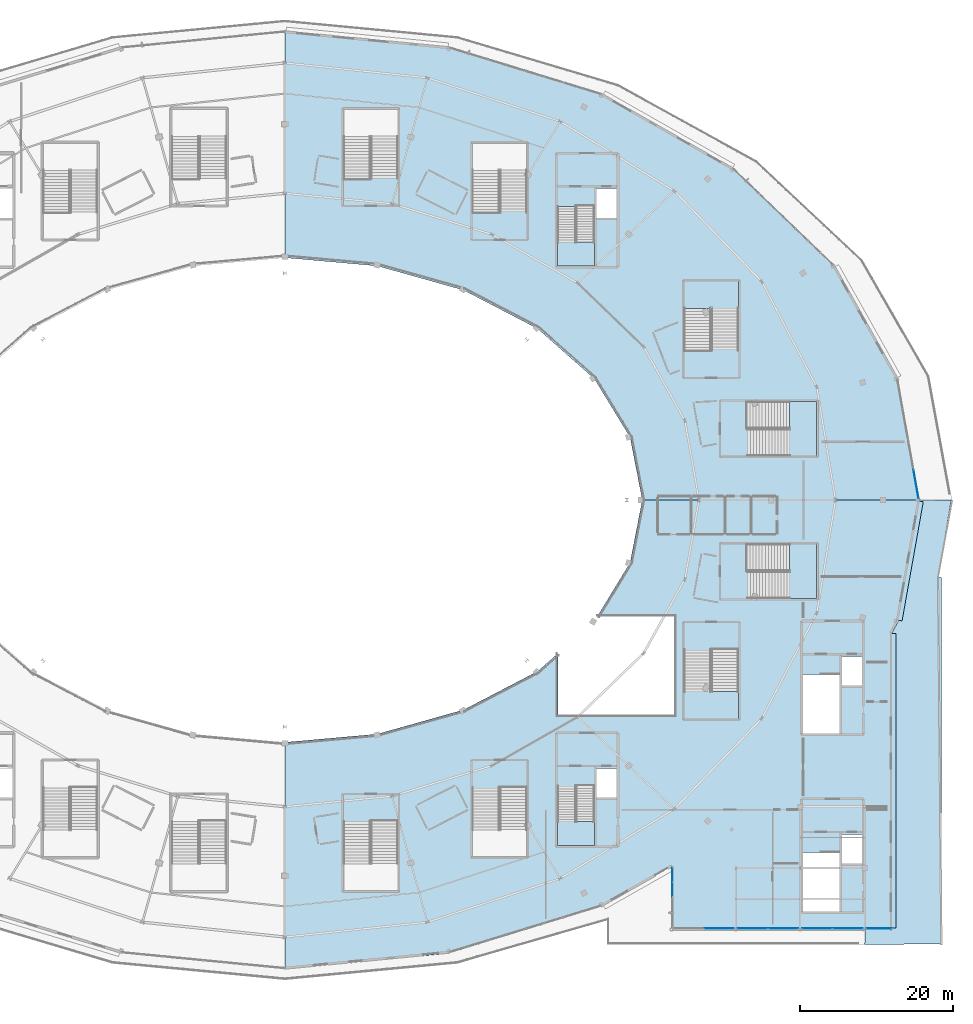
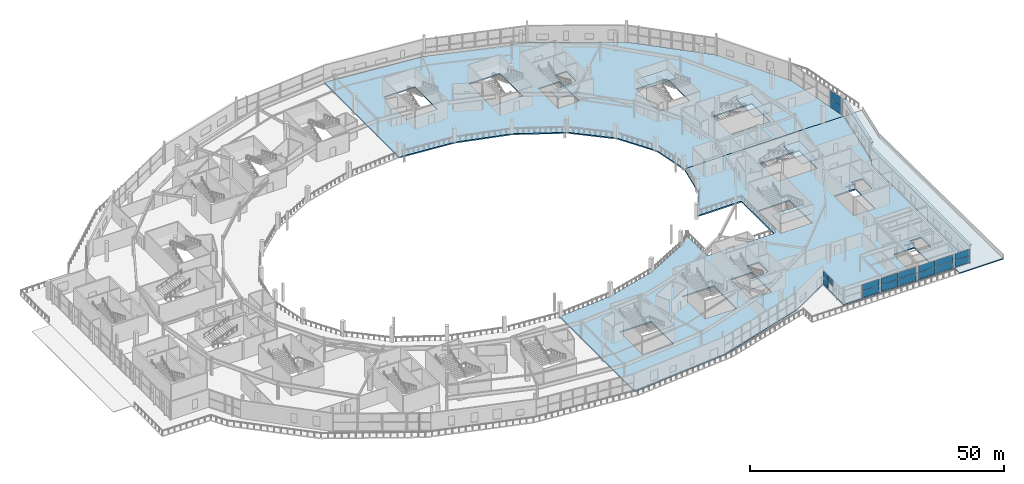
# One storey, part 77 of 123: 19 plates, 9 slabs, 14 elements without a shape of their own.
"""IFC4 building model written with IfcOpenShell, lengths in metres."""

from ifc_helpers import new_model, si_unit, direction, frame, origin, origin_2d, place, context, subcontext, project, spatial, polyline, rectangle, outline, extrude, material, layer, layer_set, type_object, element, aggregate, save


model = new_model("IFC4")

# Units and contexts
model_context = context("Model", 3, precision=1e-05, world=origin(), true_north=direction((0.0, 1.0)))
body_context = subcontext(model_context, "Body", "Model", "MODEL_VIEW")
ifc_project = project(units=[si_unit("LENGTHUNIT", "METRE"), si_unit("AREAUNIT", "SQUARE_METRE"), si_unit("VOLUMEUNIT", "CUBIC_METRE"), si_unit("PLANEANGLEUNIT", "RADIAN"), si_unit("MASSUNIT", "GRAM", prefix="KILO")], contexts=[model_context])

# Site, building, storey
site_placement = place(None, origin())
site = spatial("IfcSite", under=ifc_project, at=site_placement, CompositionType="ELEMENT")
building_placement = place(site_placement, origin())
building = spatial("IfcBuilding", under=site, at=building_placement, Name="Kalgoora Escarpment Arena", CompositionType="ELEMENT")
storey_placement = place(building_placement, frame((0.0, 0.0, 9.89990234375)))
storey = spatial("IfcBuildingStorey", under=building, at=storey_placement, Name="L02", CompositionType="ELEMENT", Elevation=9.89990234375)

# Curtain wall, plates
ifc_material_1 = material(Name=" Champagne anodised aluminium & double-glazed low-E", Category="aluminium")
ifc_layer_1 = layer(ifc_material_1, 0.162109375)
ifc_layer_set_1 = layer_set([ifc_layer_1], Name="CW-UNIT-03")
curtain_wall_type_1 = type_object("IfcCurtainWallType", Name="CW-UNIT-03", PredefinedType="NOTDEFINED", material=ifc_layer_set_1)
curtain_wall_1_placement = place(storey_placement, origin())
curtain_wall_1 = element("IfcCurtainWall", 1, at=curtain_wall_1_placement, inside=storey, type_object=curtain_wall_type_1, Name="L02 unitised facade curtain wall 042", PredefinedType="NOTDEFINED")
ifc_material_2 = material(Name="Low-E double-glazed insulated glass", Category="glass")
ifc_layer_2 = layer(ifc_material_2, 0.028076171875)
ifc_layer_set_2 = layer_set([ifc_layer_2], Name="PLT-CW-GLAZ-28")
plate_type_1 = type_object("IfcPlateType", Name="PLT-CW-GLAZ-28", PredefinedType="CURTAIN_PANEL", material=ifc_layer_set_2)
plate_1_placement = place(storey_placement, frame((142.919921875, 13.197509765625, 1.6923828125), z_axis=(0.0, 0.0, 1.0), x_axis=(0.0, 1.0, 0.0)))
plate_1 = element("IfcPlate", 2, at=plate_1_placement, type_object=plate_type_1, Name="CW-03 panel 1.2", PredefinedType="CURTAIN_PANEL", context=body_context, shape_type="SweptSolid", body=[
    extrude(rectangle(XDim=1.8505859375, YDim=0.028076171875, at=origin_2d()), origin(), (0.0, 0.0, 1.0), 1.532470703125),
])
plate_2_placement = place(storey_placement, frame((142.919921875, 15.11328125, 0.080078125), z_axis=(0.0, 0.0, 1.0), x_axis=(0.0, 1.0, 0.0)))
plate_2 = element("IfcPlate", 3, at=plate_2_placement, type_object=plate_type_1, Name="CW-03 panel 2.1", PredefinedType="CURTAIN_PANEL", context=body_context, shape_type="SweptSolid", body=[
    extrude(rectangle(XDim=1.8505859375, YDim=0.028076171875, at=origin_2d()), origin(), (0.0, 0.0, 1.0), 1.552490234375),
])
plate_3_placement = place(storey_placement, frame((142.919921875, 15.11328125, 1.6923828125), z_axis=(0.0, 0.0, 1.0), x_axis=(0.0, 1.0, 0.0)))
plate_3 = element("IfcPlate", 4, at=plate_3_placement, type_object=plate_type_1, Name="CW-03 panel 2.2", PredefinedType="CURTAIN_PANEL", context=body_context, shape_type="SweptSolid", body=[
    extrude(rectangle(XDim=1.8505859375, YDim=0.028076171875, at=origin_2d()), origin(), (0.0, 0.0, 1.0), 1.532470703125),
])
aggregate(curtain_wall_1, [plate_1, plate_2, plate_3])

ifc_material_3 = material(Name=" Champagne anodised aluminium & double-glazed low-E", Category="aluminium")
ifc_layer_3 = layer(ifc_material_3, 0.154052734375)
ifc_layer_set_3 = layer_set([ifc_layer_3], Name="CW-UNIT-11")
curtain_wall_type_2 = type_object("IfcCurtainWallType", Name="CW-UNIT-11", PredefinedType="NOTDEFINED", material=ifc_layer_set_3)
curtain_wall_2_placement = place(storey_placement, origin())
curtain_wall_2 = element("IfcCurtainWall", 5, at=curtain_wall_2_placement, inside=storey, type_object=curtain_wall_type_2, Name="L02 unitised facade curtain wall 090", PredefinedType="NOTDEFINED")
plate_4_placement = place(storey_placement, frame((174.710693359375, 66.0625, 0.0751953125), z_axis=(0.0, 0.0, 1.0), x_axis=(0.175341875723, -0.984507606176, 0.0)))
plate_4 = element("IfcPlate", 6, at=plate_4_placement, type_object=plate_type_1, Name="CW-11 panel 1.1", PredefinedType="CURTAIN_PANEL", context=body_context, shape_type="SweptSolid", body=[
    extrude(rectangle(XDim=3.78271484375, YDim=0.028076171875, at=origin_2d()), origin(), (0.0, 0.0, 1.0), 2.030029296875),
])
plate_5_placement = place(storey_placement, frame((174.710693359375, 66.0625, 2.16015625), z_axis=(0.0, 0.0, 1.0), x_axis=(0.175341875723, -0.984507606176, 0.0)))
plate_5 = element("IfcPlate", 7, at=plate_5_placement, type_object=plate_type_1, Name="CW-11 panel 1.2", PredefinedType="CURTAIN_PANEL", context=body_context, shape_type="SweptSolid", body=[
    extrude(rectangle(XDim=3.78271484375, YDim=0.028076171875, at=origin_2d()), origin(), (0.0, 0.0, 1.0), 2.010009765625),
])
aggregate(curtain_wall_2, [plate_4, plate_5])

ifc_material_4 = material(Name=" Champagne anodised aluminium & double-glazed low-E", Category="aluminium")
ifc_layer_4 = layer(ifc_material_4, 0.162109375)
ifc_layer_set_4 = layer_set([ifc_layer_4], Name="CW-UNIT-13")
curtain_wall_type_3 = type_object("IfcCurtainWallType", Name="CW-UNIT-13", PredefinedType="NOTDEFINED", material=ifc_layer_set_4)
curtain_wall_3_placement = place(storey_placement, origin())
curtain_wall_3 = element("IfcCurtainWall", 8, at=curtain_wall_3_placement, inside=storey, type_object=curtain_wall_type_3, Name="L02 unitised facade curtain wall 092", PredefinedType="NOTDEFINED")
plate_6_placement = place(storey_placement, frame((165.83056640625, 8.1201171875, 0.074951171875), z_axis=(0.0, 0.0, 1.0), x_axis=(-1.0, 0.0, 0.0)))
plate_6 = element("IfcPlate", 9, at=plate_6_placement, type_object=plate_type_1, Name="CW-13 panel 1.1", PredefinedType="CURTAIN_PANEL", context=body_context, shape_type="SweptSolid", body=[
    extrude(rectangle(XDim=3.837646484375, YDim=0.028076171875, at=origin_2d()), origin(), (0.0, 0.0, 1.0), 1.56005859375),
])
plate_7_placement = place(storey_placement, frame((165.83056640625, 8.1201171875, 1.690185546875), z_axis=(0.0, 0.0, 1.0), x_axis=(-1.0, 0.0, 0.0)))
plate_7 = element("IfcPlate", 10, at=plate_7_placement, type_object=plate_type_1, Name="CW-13 panel 1.2", PredefinedType="CURTAIN_PANEL", context=body_context, shape_type="SweptSolid", body=[
    extrude(rectangle(XDim=3.837646484375, YDim=0.028076171875, at=origin_2d()), origin(), (0.0, 0.0, 1.0), 1.5400390625),
])
aggregate(curtain_wall_3, [plate_6, plate_7])

ifc_material_5 = material(Name=" Champagne anodised aluminium & double-glazed low-E", Category="aluminium")
ifc_layer_5 = layer(ifc_material_5, 0.14990234375)
ifc_layer_set_5 = layer_set([ifc_layer_5], Name="CW-UNIT-15")
curtain_wall_type_4 = type_object("IfcCurtainWallType", Name="CW-UNIT-15", PredefinedType="NOTDEFINED", material=ifc_layer_set_5)
curtain_wall_4_placement = place(storey_placement, origin())
curtain_wall_4 = element("IfcCurtainWall", 11, at=curtain_wall_4_placement, inside=storey, type_object=curtain_wall_type_4, Name="L02 unitised facade curtain wall 094", PredefinedType="NOTDEFINED")
plate_8_placement = place(storey_placement, frame((157.423828125, 8.1201171875, 0.074951171875), z_axis=(0.0, 0.0, 1.0), x_axis=(-1.0, 0.0, 0.0)))
plate_8 = element("IfcPlate", 12, at=plate_8_placement, type_object=plate_type_1, Name="CW-15 panel 1.1", PredefinedType="CURTAIN_PANEL", context=body_context, shape_type="SweptSolid", body=[
    extrude(rectangle(XDim=3.84375, YDim=0.028076171875, at=origin_2d()), origin(), (0.0, 0.0, 1.0), 1.56005859375),
])
plate_9_placement = place(storey_placement, frame((157.423828125, 8.1201171875, 1.690185546875), z_axis=(0.0, 0.0, 1.0), x_axis=(-1.0, 0.0, 0.0)))
plate_9 = element("IfcPlate", 13, at=plate_9_placement, type_object=plate_type_1, Name="CW-15 panel 1.2", PredefinedType="CURTAIN_PANEL", context=body_context, shape_type="SweptSolid", body=[
    extrude(rectangle(XDim=3.84375, YDim=0.028076171875, at=origin_2d()), origin(), (0.0, 0.0, 1.0), 1.5400390625),
])
aggregate(curtain_wall_4, [plate_8, plate_9])

ifc_material_6 = material(Name=" Champagne anodised aluminium & double-glazed low-E", Category="aluminium")
ifc_layer_6 = layer(ifc_material_6, 0.157958984375)
ifc_layer_set_6 = layer_set([ifc_layer_6], Name="CW-UNIT-17")
curtain_wall_type_5 = type_object("IfcCurtainWallType", Name="CW-UNIT-17", PredefinedType="NOTDEFINED", material=ifc_layer_set_6)
curtain_wall_5_placement = place(storey_placement, origin())
curtain_wall_5 = element("IfcCurtainWall", 14, at=curtain_wall_5_placement, inside=storey, type_object=curtain_wall_type_5, Name="L02 unitised facade curtain wall 096", PredefinedType="NOTDEFINED")
plate_10_placement = place(storey_placement, frame((149.0439453125, 8.1201171875, 0.074951171875), z_axis=(0.0, 0.0, 1.0), x_axis=(-1.0, 0.0, 0.0)))
plate_10 = element("IfcPlate", 15, at=plate_10_placement, type_object=plate_type_1, Name="CW-17 panel 1.1", PredefinedType="CURTAIN_PANEL", context=body_context, shape_type="SweptSolid", body=[
    extrude(rectangle(XDim=3.83544921875, YDim=0.028076171875, at=origin_2d()), origin(), (0.0, 0.0, 1.0), 1.56005859375),
])
plate_11_placement = place(storey_placement, frame((149.0439453125, 8.1201171875, 1.690185546875), z_axis=(0.0, 0.0, 1.0), x_axis=(-1.0, 0.0, 0.0)))
plate_11 = element("IfcPlate", 16, at=plate_11_placement, type_object=plate_type_1, Name="CW-17 panel 1.2", PredefinedType="CURTAIN_PANEL", context=body_context, shape_type="SweptSolid", body=[
    extrude(rectangle(XDim=3.83544921875, YDim=0.028076171875, at=origin_2d()), origin(), (0.0, 0.0, 1.0), 1.5400390625),
])
aggregate(curtain_wall_5, [plate_10, plate_11])

ifc_material_7 = material(Name=" Champagne anodised aluminium & double-glazed low-E", Category="aluminium")
ifc_layer_7 = layer(ifc_material_7, 0.157958984375)
ifc_layer_set_7 = layer_set([ifc_layer_7], Name="CW-UNIT-12")
curtain_wall_type_6 = type_object("IfcCurtainWallType", Name="CW-UNIT-12", PredefinedType="NOTDEFINED", material=ifc_layer_set_7)
curtain_wall_6_placement = place(storey_placement, origin())
curtain_wall_6 = element("IfcCurtainWall", 17, at=curtain_wall_6_placement, inside=storey, type_object=curtain_wall_type_6, Name="L02 unitised facade curtain wall 091", PredefinedType="NOTDEFINED")
ifc_material_8 = material(Name="Acoustic laminated solar-control glass", Category="glass")
ifc_layer_8 = layer(ifc_material_8, 0.033935546875)
ifc_layer_set_8 = layer_set([ifc_layer_8], Name="PLT-CW-GLAZ-34")
plate_type_2 = type_object("IfcPlateType", Name="PLT-CW-GLAZ-34", PredefinedType="CURTAIN_PANEL", material=ifc_layer_set_8)
plate_12_placement = place(storey_placement, frame((169.895263671875, 8.1201171875, 0.074951171875), z_axis=(0.0, 0.0, 1.0), x_axis=(-1.0, 0.0, 0.0)))
plate_12 = element("IfcPlate", 18, at=plate_12_placement, type_object=plate_type_2, Name="CW-12 panel 1.1", PredefinedType="CURTAIN_PANEL", context=body_context, shape_type="SweptSolid", body=[
    extrude(rectangle(XDim=3.289306640625, YDim=0.033935546875, at=origin_2d()), origin(), (0.0, 0.0, 1.0), 1.56005859375),
])
plate_13_placement = place(storey_placement, frame((169.895263671875, 8.1201171875, 1.690185546875), z_axis=(0.0, 0.0, 1.0), x_axis=(-1.0, 0.0, 0.0)))
plate_13 = element("IfcPlate", 19, at=plate_13_placement, type_object=plate_type_2, Name="CW-12 panel 1.2", PredefinedType="CURTAIN_PANEL", context=body_context, shape_type="SweptSolid", body=[
    extrude(rectangle(XDim=3.289306640625, YDim=0.033935546875, at=origin_2d()), origin(), (0.0, 0.0, 1.0), 1.5400390625),
])
aggregate(curtain_wall_6, [plate_12, plate_13])

ifc_material_9 = material(Name=" Champagne anodised aluminium & double-glazed low-E", Category="aluminium")
ifc_layer_9 = layer(ifc_material_9, 0.166015625)
ifc_layer_set_9 = layer_set([ifc_layer_9], Name="CW-UNIT-14")
curtain_wall_type_7 = type_object("IfcCurtainWallType", Name="CW-UNIT-14", PredefinedType="NOTDEFINED", material=ifc_layer_set_9)
curtain_wall_7_placement = place(storey_placement, origin())
curtain_wall_7 = element("IfcCurtainWall", 20, at=curtain_wall_7_placement, inside=storey, type_object=curtain_wall_type_7, Name="L02 unitised facade curtain wall 093", PredefinedType="NOTDEFINED")
plate_14_placement = place(storey_placement, frame((161.77294921875, 8.1201171875, 0.074951171875), z_axis=(0.0, 0.0, 1.0), x_axis=(-1.0, 0.0, 0.0)))
plate_14 = element("IfcPlate", 21, at=plate_14_placement, type_object=plate_type_2, Name="CW-14 panel 1.1", PredefinedType="CURTAIN_PANEL", context=body_context, shape_type="SweptSolid", body=[
    extrude(rectangle(XDim=3.83740234375, YDim=0.033935546875, at=origin_2d()), origin(), (0.0, 0.0, 1.0), 1.56005859375),
])
plate_15_placement = place(storey_placement, frame((161.77294921875, 8.1201171875, 1.690185546875), z_axis=(0.0, 0.0, 1.0), x_axis=(-1.0, 0.0, 0.0)))
plate_15 = element("IfcPlate", 22, at=plate_15_placement, type_object=plate_type_2, Name="CW-14 panel 1.2", PredefinedType="CURTAIN_PANEL", context=body_context, shape_type="SweptSolid", body=[
    extrude(rectangle(XDim=3.83740234375, YDim=0.033935546875, at=origin_2d()), origin(), (0.0, 0.0, 1.0), 1.5400390625),
])
aggregate(curtain_wall_7, [plate_14, plate_15])

ifc_material_10 = material(Name=" Champagne anodised aluminium & double-glazed low-E", Category="aluminium")
ifc_layer_10 = layer(ifc_material_10, 0.154052734375)
ifc_layer_set_10 = layer_set([ifc_layer_10], Name="CW-UNIT-16")
curtain_wall_type_8 = type_object("IfcCurtainWallType", Name="CW-UNIT-16", PredefinedType="NOTDEFINED", material=ifc_layer_set_10)
curtain_wall_8_placement = place(storey_placement, origin())
curtain_wall_8 = element("IfcCurtainWall", 23, at=curtain_wall_8_placement, inside=storey, type_object=curtain_wall_type_8, Name="L02 unitised facade curtain wall 095", PredefinedType="NOTDEFINED")
plate_16_placement = place(storey_placement, frame((153.3603515625, 8.1201171875, 0.074951171875), z_axis=(0.0, 0.0, 1.0), x_axis=(-1.0, 0.0, 0.0)))
plate_16 = element("IfcPlate", 24, at=plate_16_placement, type_object=plate_type_2, Name="CW-16 panel 1.1", PredefinedType="CURTAIN_PANEL", context=body_context, shape_type="SweptSolid", body=[
    extrude(rectangle(XDim=3.84375, YDim=0.033935546875, at=origin_2d()), origin(), (0.0, 0.0, 1.0), 1.56005859375),
])
plate_17_placement = place(storey_placement, frame((153.3603515625, 8.1201171875, 1.690185546875), z_axis=(0.0, 0.0, 1.0), x_axis=(-1.0, 0.0, 0.0)))
plate_17 = element("IfcPlate", 25, at=plate_17_placement, type_object=plate_type_2, Name="CW-16 panel 1.2", PredefinedType="CURTAIN_PANEL", context=body_context, shape_type="SweptSolid", body=[
    extrude(rectangle(XDim=3.84375, YDim=0.033935546875, at=origin_2d()), origin(), (0.0, 0.0, 1.0), 1.5400390625),
])
aggregate(curtain_wall_8, [plate_16, plate_17])

# Plates
ifc_material_11 = material(Name="Champagne anodised Art Deco solar brise-soleil hood", Category="aluminium")
ifc_layer_11 = layer(ifc_material_11, 0.1201171875)
ifc_layer_set_11 = layer_set([ifc_layer_11], Name="PLT-DECO-EYEBROW")
plate_type_3 = type_object("IfcPlateType", Name="PLT-DECO-EYEBROW", PredefinedType="SHEET", material=ifc_layer_set_11)
plate_18_placement = place(storey_placement, frame((173.909912109375, 56.05859375, 3.97998046875), z_axis=(0.0, 0.0, 1.0), x_axis=(-0.175366726092, -0.984503179974, 0.0)))
element("IfcPlate", 26, at=plate_18_placement, inside=storey, type_object=plate_type_3, Name="L02 Art Deco horizontal solar brise-soleil eyebrow 051", PredefinedType="SHEET", context=body_context, shape_type="SweptSolid", body=[
    extrude(rectangle(XDim=15.7890625, YDim=0.719970703125, at=origin_2d()), origin(), (0.0, 0.0, 1.0), 0.1201171875),
])
plate_19_placement = place(storey_placement, frame((171.722412109375, 27.385498046875, 3.97998046875), z_axis=(0.0, 0.0, 1.0), x_axis=(0.0, -1.0, 0.0)))
element("IfcPlate", 27, at=plate_19_placement, inside=storey, type_object=plate_type_3, Name="L02 Art Deco horizontal solar brise-soleil eyebrow 053", PredefinedType="SHEET", context=body_context, shape_type="SweptSolid", body=[
    extrude(rectangle(XDim=38.470947265625, YDim=0.719970703125, at=origin_2d()), origin(), (0.0, 0.0, 1.0), 0.1201171875),
])

# Slabs
ifc_material_12 = material(Name="Concrete N40 (fc' 40 MPa)", Category="concrete")
ifc_layer_12 = layer(ifc_material_12, 0.280029296875)
ifc_layer_set_12 = layer_set([ifc_layer_12], Name="SLB-CONC-280")
slab_type_1 = type_object("IfcSlabType", Name="SLB-CONC-280", PredefinedType="FLOOR", material=ifc_layer_set_12)
slab_1_placement = place(storey_placement, frame((0.0, 0.0, -0.27978515625)))
element("IfcSlab", 28, at=slab_1_placement, inside=storey, type_object=slab_type_1, Name="L02 concourse ring NE floor slab", PredefinedType="FLOOR", context=body_context, shape_type="SweptSolid", body=[
    extrude(outline(polyline([(113.830078125, 123.11474609375), (133.800048828125, 117.000732421875), (150.948486328125, 107.27490234375), (164.10693359375, 94.60009765625), (172.378662109375, 79.839599609375), (175.199951171875, 64.0), (139.0, 64.0), (137.412109375, 72.1787109375), (132.7568359375, 79.800048828125), (125.351318359375, 86.344482421875), (115.699951171875, 91.366455078125), (104.4609375, 94.523193359375), (92.39990234375, 95.60009765625), (92.39990234375, 125.199951171875), (113.830078125, 123.11474609375)]), holes=[polyline([(161.75, 76.85009765625), (152.85009765625, 76.85009765625), (152.85009765625, 69.75), (161.75, 69.75), (161.75, 76.85009765625)]), polyline([(151.550048828125, 92.550048828125), (144.449951171875, 92.550048828125), (144.449951171875, 83.64990234375), (151.550048828125, 83.64990234375), (151.550048828125, 92.550048828125)]), polyline([(132.75, 102.25), (127.949951171875, 102.25), (127.949951171875, 94.550048828125), (132.75, 94.550048828125), (132.75, 102.25)]), polyline([(135.64990234375, 104.60009765625), (133.050048828125, 104.60009765625), (133.050048828125, 100.800048828125), (135.64990234375, 100.800048828125), (135.64990234375, 104.60009765625)]), polyline([(123.949951171875, 110.550048828125), (116.85009765625, 110.550048828125), (116.85009765625, 101.64990234375), (123.949951171875, 101.64990234375), (123.949951171875, 110.550048828125)]), polyline([(107.14990234375, 114.949951171875), (100.050048828125, 114.949951171875), (100.050048828125, 106.050048828125), (107.14990234375, 106.050048828125), (107.14990234375, 114.949951171875)])]), origin(), (0.0, 0.0, 1.0), 0.27978515625),
])
ifc_material_13 = material(Name="Concrete N40 (fc' 40 MPa)", Category="concrete")
ifc_layer_13 = layer(ifc_material_13, 0.239990234375)
ifc_layer_set_13 = layer_set([ifc_layer_13], Name="SLB-ROOF-240")
slab_type_2 = type_object("IfcSlabType", Name="SLB-ROOF-240", PredefinedType="ROOF", material=ifc_layer_set_13)
slab_2_placement = place(storey_placement, frame((0.0, 0.0, -0.239990234375)))
element("IfcSlab", 29, at=slab_2_placement, inside=storey, type_object=slab_type_2, Name="L02 stepped podium roof slab 1", PredefinedType="ROOF", context=body_context, shape_type="SweptSolid", body=[
    extrude(outline(polyline([(171.599853515625, 8.0), (171.6005859375, 46.7548828125), (172.379150390625, 48.1630859375), (175.190673828125, 63.936767578125), (179.289794921875, 63.99951171875), (177.5703125, 54.0), (178.0, 53.89990234375), (177.99560546875, 6.071044921875), (168.01171875, 6.052978515625), (168.052978515625, 7.98828125), (171.599853515625, 8.0)])), origin(), (0.0, 0.0, 1.0), 0.239990234375),
])

# Stair, slab
ifc_material_14 = material(Name="Concrete N40 (fc' 40 MPa)", Category="concrete")
stair_type_1 = type_object("IfcStairType", Name="STR-EXIT-4", PredefinedType="HALF_TURN_STAIR", material=ifc_material_14)
stair_1_placement = place(storey_placement, origin())
stair_1 = element("IfcStair", 30, at=stair_1_placement, inside=storey, type_object=stair_type_1, Name="Fire-isolated exit stair ST04 (L02)", PredefinedType="HALF_TURN_STAIR")
ifc_material_15 = material(Name="Concrete N40 (fc' 40 MPa)", Category="concrete")
ifc_layer_14 = layer(ifc_material_15, 0.219970703125)
ifc_layer_set_14 = layer_set([ifc_layer_14], Name="SLB-ST-LAND-220")
slab_type_3 = type_object("IfcSlabType", Name="SLB-ST-LAND-220", PredefinedType="LANDING", material=ifc_layer_set_14)
slab_3_placement = place(storey_placement, frame((0.0, 0.0, 2.030029296875)))
slab_3 = element("IfcSlab", 31, at=slab_3_placement, type_object=slab_type_3, Name="ST04 L02 half-landing", PredefinedType="LANDING", context=body_context, shape_type="SweptSolid", body=[
    extrude(outline(polyline([(132.75, 97.639892578125), (132.75, 94.550048828125), (127.949951171875, 94.550048828125), (127.949951171875, 97.639892578125), (132.75, 97.639892578125)])), origin(), (0.0, 0.0, 1.0), 0.219970703125),
])
aggregate(stair_1, [slab_3])

ifc_material_16 = material(Name="Concrete N40 (fc' 40 MPa)", Category="concrete")
stair_type_2 = type_object("IfcStairType", Name="STR-EXIT-2", PredefinedType="HALF_TURN_STAIR", material=ifc_material_16)
stair_2_placement = place(storey_placement, origin())
stair_2 = element("IfcStair", 32, at=stair_2_placement, inside=storey, type_object=stair_type_2, Name="Fire-isolated exit stair ST06 (L02)", PredefinedType="HALF_TURN_STAIR")
slab_4_placement = place(storey_placement, frame((0.0, 0.0, 2.030029296875)))
slab_4 = element("IfcSlab", 33, at=slab_4_placement, type_object=slab_type_3, Name="ST06 L02 half-landing", PredefinedType="LANDING", context=body_context, shape_type="SweptSolid", body=[
    extrude(outline(polyline([(132.75, 22.0400390625), (132.75, 18.949951171875), (127.949951171875, 18.949951171875), (127.949951171875, 22.0400390625), (132.75, 22.0400390625)])), origin(), (0.0, 0.0, 1.0), 0.219970703125),
])
aggregate(stair_2, [slab_4])

ifc_material_17 = material(Name="Precast concrete N50 (fc' 50 MPa)", Category="concrete")
stair_type_3 = type_object("IfcStairType", Name="STR-STAD-1", PredefinedType="HALF_TURN_STAIR", material=ifc_material_17)
stair_3_placement = place(storey_placement, origin())
stair_3 = element("IfcStair", 34, at=stair_3_placement, inside=storey, type_object=stair_type_3, Name="Fire-isolated exit stair ST21 (L02)", PredefinedType="HALF_TURN_STAIR")
slab_5_placement = place(storey_placement, frame((0.0, 0.0, 2.030029296875)))
slab_5 = element("IfcSlab", 35, at=slab_5_placement, type_object=slab_type_3, Name="ST21 L02 half-landing", PredefinedType="LANDING", context=body_context, shape_type="SweptSolid", body=[
    extrude(outline(polyline([(158.199951171875, 76.85009765625), (161.75, 76.85009765625), (161.75, 69.75), (158.199951171875, 69.75), (158.199951171875, 76.85009765625)])), origin(), (0.0, 0.0, 1.0), 0.219970703125),
])
aggregate(stair_3, [slab_5])

ifc_material_18 = material(Name="Precast concrete N50 (fc' 50 MPa)", Category="concrete")
stair_type_4 = type_object("IfcStairType", Name="STR-STAD-2", PredefinedType="HALF_TURN_STAIR", material=ifc_material_18)
stair_4_placement = place(storey_placement, origin())
stair_4 = element("IfcStair", 36, at=stair_4_placement, inside=storey, type_object=stair_type_4, Name="Fire-isolated exit stair ST22 (L02)", PredefinedType="HALF_TURN_STAIR")
slab_6_placement = place(storey_placement, frame((0.0, 0.0, 2.030029296875)))
slab_6 = element("IfcSlab", 37, at=slab_6_placement, type_object=slab_type_3, Name="ST22 L02 half-landing", PredefinedType="LANDING", context=body_context, shape_type="SweptSolid", body=[
    extrude(outline(polyline([(158.199951171875, 58.25), (161.75, 58.25), (161.75, 51.14990234375), (158.199951171875, 51.14990234375), (158.199951171875, 58.25)])), origin(), (0.0, 0.0, 1.0), 0.219970703125),
])
aggregate(stair_4, [slab_6])

ifc_material_19 = material(Name="Precast concrete N50 (fc' 50 MPa)", Category="concrete")
stair_type_5 = type_object("IfcStairType", Name="STR-STAD-3", PredefinedType="HALF_TURN_STAIR", material=ifc_material_19)
stair_5_placement = place(storey_placement, origin())
stair_5 = element("IfcStair", 38, at=stair_5_placement, inside=storey, type_object=stair_type_5, Name="Fire-isolated exit stair ST23 (L02)", PredefinedType="HALF_TURN_STAIR")
slab_7_placement = place(storey_placement, frame((0.0, 0.0, 2.030029296875)))
slab_7 = element("IfcSlab", 39, at=slab_7_placement, type_object=slab_type_3, Name="ST23 L02 half-landing", PredefinedType="LANDING", context=body_context, shape_type="SweptSolid", body=[
    extrude(outline(polyline([(144.449951171875, 89.0), (144.449951171875, 92.550048828125), (151.550048828125, 92.550048828125), (151.550048828125, 89.0), (144.449951171875, 89.0)])), origin(), (0.0, 0.0, 1.0), 0.219970703125),
])
aggregate(stair_5, [slab_7])

ifc_material_20 = material(Name="Precast concrete N50 (fc' 50 MPa)", Category="concrete")
stair_type_6 = type_object("IfcStairType", Name="STR-STAD-4", PredefinedType="HALF_TURN_STAIR", material=ifc_material_20)
stair_6_placement = place(storey_placement, origin())
stair_6 = element("IfcStair", 40, at=stair_6_placement, inside=storey, type_object=stair_type_6, Name="Fire-isolated exit stair ST24 (L02)", PredefinedType="HALF_TURN_STAIR")
slab_8_placement = place(storey_placement, frame((0.0, 0.0, 2.030029296875)))
slab_8 = element("IfcSlab", 41, at=slab_8_placement, type_object=slab_type_3, Name="ST24 L02 half-landing", PredefinedType="LANDING", context=body_context, shape_type="SweptSolid", body=[
    extrude(outline(polyline([(151.550048828125, 39.0), (151.550048828125, 35.449951171875), (144.449951171875, 35.449951171875), (144.449951171875, 39.0), (151.550048828125, 39.0)])), origin(), (0.0, 0.0, 1.0), 0.219970703125),
])
aggregate(stair_6, [slab_8])

# Slab
ifc_material_21 = material(Name="Concrete N40 (fc' 40 MPa)", Category="concrete")
ifc_layer_15 = layer(ifc_material_21, 0.300048828125)
ifc_layer_set_15 = layer_set([ifc_layer_15], Name="SLB-UPPER-300")
slab_type_4 = type_object("IfcSlabType", Name="SLB-UPPER-300", PredefinedType="FLOOR", material=ifc_layer_set_15)
slab_9_placement = place(storey_placement, frame((0.0, 0.0, -0.2998046875)))
element("IfcSlab", 42, at=slab_9_placement, inside=storey, type_object=slab_type_4, Name="L02 concourse ring SE floor slab", PredefinedType="FLOOR", context=body_context, shape_type="SweptSolid", body=[
    extrude(outline(polyline([(133.800048828125, 10.999267578125), (113.830078125, 4.88525390625), (92.39990234375, 2.800048828125), (92.39990234375, 32.39990234375), (104.4609375, 33.476806640625), (115.699951171875, 36.633544921875), (125.351318359375, 41.655517578125), (128.0, 43.99609375), (128.0, 36.0), (143.199951171875, 36.0), (143.199951171875, 48.800048828125), (133.123291015625, 48.800048828125), (137.412109375, 55.8212890625), (139.0, 64.0), (175.199951171875, 64.0), (172.378662109375, 48.160400390625), (171.60009765625, 46.770751953125), (171.60009765625, 8.0), (142.800048828125, 8.0), (142.800048828125, 16.103515625), (133.800048828125, 10.999267578125)]), holes=[polyline([(164.75, 18.050048828125), (159.949951171875, 18.050048828125), (159.949951171875, 10.35009765625), (164.75, 10.35009765625), (164.75, 18.050048828125)]), polyline([(107.14990234375, 21.949951171875), (100.050048828125, 21.949951171875), (100.050048828125, 13.050048828125), (107.14990234375, 13.050048828125), (107.14990234375, 21.949951171875)]), polyline([(167.64990234375, 20.39990234375), (165.050048828125, 20.39990234375), (165.050048828125, 16.60009765625), (167.64990234375, 16.60009765625), (167.64990234375, 20.39990234375)]), polyline([(123.949951171875, 26.35009765625), (116.85009765625, 26.35009765625), (116.85009765625, 17.449951171875), (123.949951171875, 17.449951171875), (123.949951171875, 26.35009765625)]), polyline([(132.75, 26.64990234375), (127.949951171875, 26.64990234375), (127.949951171875, 18.949951171875), (132.75, 18.949951171875), (132.75, 26.64990234375)]), polyline([(135.64990234375, 29.0), (133.050048828125, 29.0), (133.050048828125, 25.199951171875), (135.64990234375, 25.199951171875), (135.64990234375, 29.0)]), polyline([(164.75, 41.25), (159.949951171875, 41.25), (159.949951171875, 33.550048828125), (164.75, 33.550048828125), (164.75, 41.25)]), polyline([(151.550048828125, 44.35009765625), (144.449951171875, 44.35009765625), (144.449951171875, 35.449951171875), (151.550048828125, 35.449951171875), (151.550048828125, 44.35009765625)]), polyline([(167.64990234375, 43.60009765625), (165.050048828125, 43.60009765625), (165.050048828125, 39.800048828125), (167.64990234375, 39.800048828125), (167.64990234375, 43.60009765625)]), polyline([(161.75, 58.25), (152.85009765625, 58.25), (152.85009765625, 51.14990234375), (161.75, 51.14990234375), (161.75, 58.25)])]), origin(), (0.0, 0.0, 1.0), 0.2998046875),
])

save(model, "model.ifc")
